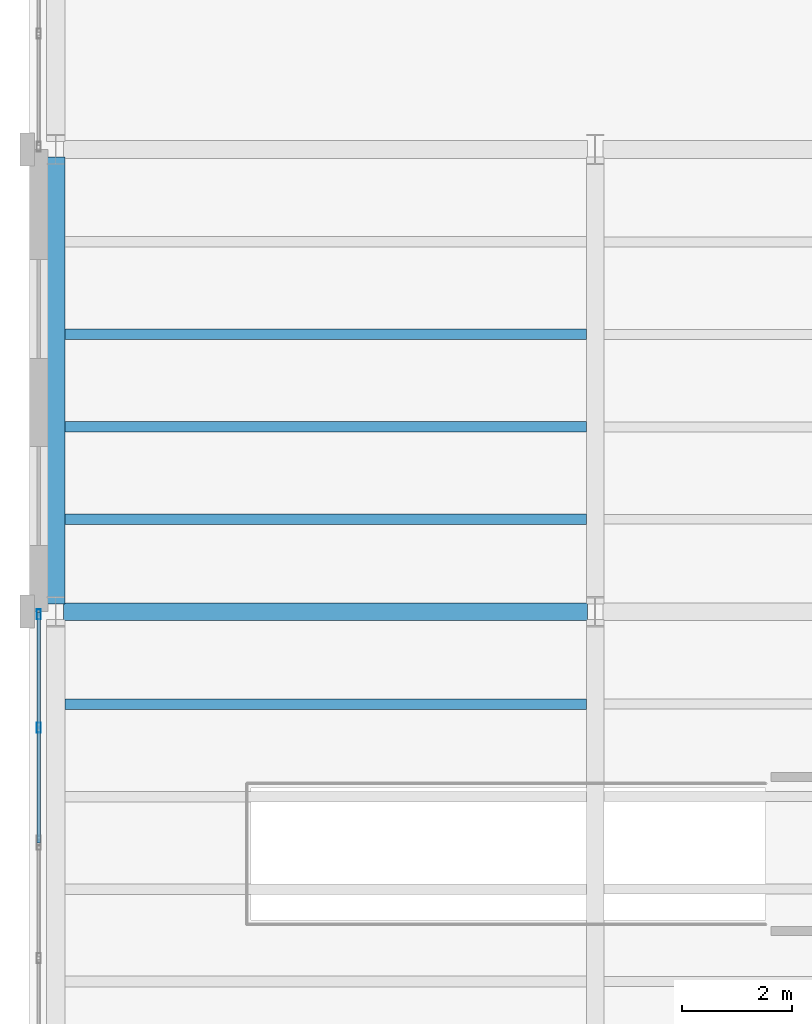
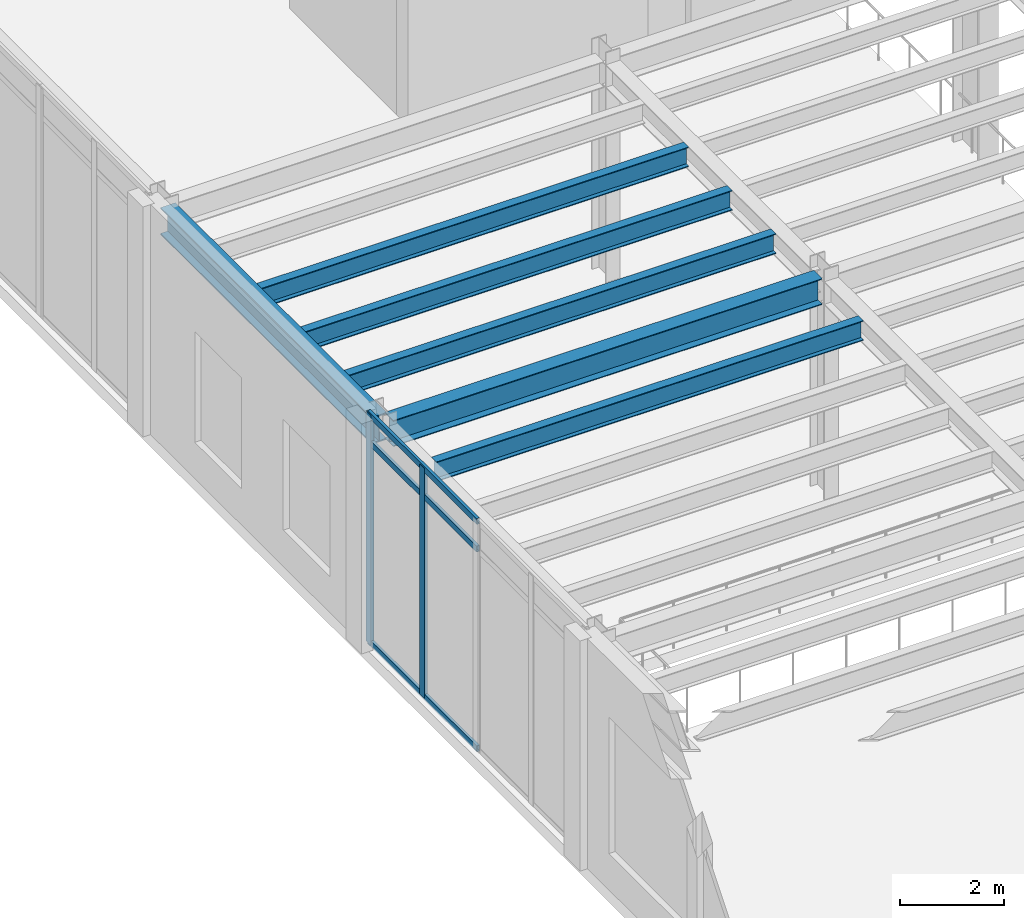
# One storey, part 20 of 98: 6 beams, 5 members, 1 element without a shape of its own.
"""IFC4 building model written with IfcOpenShell, lengths in metres."""

from ifc_helpers import new_model, si_unit, direction, frame, origin, origin_2d, place, context, subcontext, project, spatial, hollow_rectangle, i_section, extrude, material, layer, layer_set, material_profile, profile_set, type_object, element, aggregate, save


model = new_model("IFC4")

# Units and contexts
model_context = context("Model", 3, precision=1e-05, world=origin(), true_north=direction((0.0, 1.0)))
body_context = subcontext(model_context, "Body", "Model", "MODEL_VIEW")
ifc_project = project(units=[si_unit("LENGTHUNIT", "METRE"), si_unit("AREAUNIT", "SQUARE_METRE"), si_unit("VOLUMEUNIT", "CUBIC_METRE"), si_unit("PLANEANGLEUNIT", "RADIAN"), si_unit("MASSUNIT", "GRAM", prefix="KILO")], contexts=[model_context])

# Site, building, storey
site_placement = place(None, origin())
site = spatial("IfcSite", under=ifc_project, at=site_placement, CompositionType="ELEMENT")
building_placement = place(site_placement, origin())
building = spatial("IfcBuilding", under=site, at=building_placement, Name="Sollismere Congress Hotel", CompositionType="ELEMENT")
storey_placement = place(building_placement, frame((0.0, 0.0, 5.39990234375)))
storey = spatial("IfcBuildingStorey", under=building, at=storey_placement, Name="L01", CompositionType="ELEMENT", Elevation=5.39990234375)

# Beams
ifc_material_1 = material(Name="Steel ASTM A992 Grade 50", Category="steel")
ifc_material_profile_1 = material_profile(ifc_material_1, i_section(OverallWidth=0.324951171875, OverallDepth=0.612060546875, WebThickness=0.0126953125, FlangeThickness=0.01904296875, at=origin_2d()), Name="W24X104")
ifc_profile_set_1 = profile_set([ifc_material_profile_1], Name="Steel ASTM A992 Grade 50")
beam_type_1 = type_object("IfcBeamType", Name="BM-G24", PredefinedType="BEAM", material=ifc_profile_set_1)
beam_1_placement = place(storey_placement, frame((0.139892578125, 41.60009765625, 4.814208984375), z_axis=(1.0, 0.0, 0.0), x_axis=(0.0, 1.0, 0.0)))
element("IfcBeam", 1, at=beam_1_placement, inside=storey, type_object=beam_type_1, Name="Beam BM-L01-1571", PredefinedType="BEAM", context=body_context, shape_type="SweptSolid", body=[
    extrude(i_section(OverallWidth=0.324951171875, OverallDepth=0.612060546875, WebThickness=0.0126953125, FlangeThickness=0.01904296875, at=origin_2d()), origin(), (0.0, 0.0, 1.0), 9.52001953125),
])
ifc_material_profile_2 = material_profile(ifc_material_1, i_section(OverallWidth=0.193115234375, OverallDepth=0.467041015625, WebThickness=0.011474609375, FlangeThickness=0.01904296875, at=origin_2d()), Name="W18X65")
ifc_profile_set_2 = profile_set([ifc_material_profile_2], Name="Steel ASTM A992 Grade 50")
beam_type_2 = type_object("IfcBeamType", Name="BM-J18", PredefinedType="JOIST", material=ifc_profile_set_2)
for number, where, z_axis, x_axis, name in (
    (2, (0.1650390625, 39.919921875, 4.88671875), (1.0, 0.0, 0.0), (0.0, 1.0, 0.0), "Beam BM-L01-1730"),
    (3, (0.1650390625, 43.280029296875, 4.88671875), (1.0, 0.0, 0.0), (0.0, 1.0, 0.0), "Beam BM-L01-1731"),
    (4, (0.1650390625, 44.9599609375, 4.88671875), (1.0, 0.0, 0.0), (0.0, 1.0, 0.0), "Beam BM-L01-1732"),
    (5, (0.1650390625, 46.639892578125, 4.88671875), (1.0, 0.0, 0.0), (0.0, 1.0, 0.0), "Beam BM-L01-1733"),
):
    element("IfcBeam", number, at=place(storey_placement, frame(where, z_axis=z_axis, x_axis=x_axis)), inside=storey, type_object=beam_type_2, Name=name, PredefinedType="JOIST", context=body_context, shape_type="SweptSolid", body=[
        extrude(i_section(OverallWidth=0.193115234375, OverallDepth=0.467041015625, WebThickness=0.011474609375, FlangeThickness=0.01904296875, at=origin_2d()), origin(), (0.0, 0.0, 1.0), 9.4775390625),
    ])
ifc_material_profile_3 = material_profile(ifc_material_1, i_section(OverallWidth=0.330078125, OverallDepth=0.635009765625, WebThickness=0.017822265625, FlangeThickness=0.031005859375, at=origin_2d()), Name="W24X162")
ifc_profile_set_3 = profile_set([ifc_material_profile_3], Name="Steel ASTM A992 Grade 50")
beam_type_3 = type_object("IfcBeamType", Name="BM-SP24E", PredefinedType="SPANDREL", material=ifc_profile_set_3)
beam_2_placement = place(storey_placement, frame((0.0, 41.739990234375, 4.802490234375), z_axis=(0.0, 1.0, 0.0), x_axis=(-1.0, 0.0, 0.0)))
element("IfcBeam", 6, at=beam_2_placement, inside=storey, type_object=beam_type_3, Name="Beam BM-L01-1625", PredefinedType="SPANDREL", context=body_context, shape_type="SweptSolid", body=[
    extrude(i_section(OverallWidth=0.330078125, OverallDepth=0.635009765625, WebThickness=0.017822265625, FlangeThickness=0.031005859375, at=origin_2d()), origin(), (0.0, 0.0, 1.0), 8.1201171875),
])

# Curtain wall, members
ifc_material_2 = material(Name="Anodized Bronze Curtain Wall & Low-E Triple Glazing", Category="glass")
ifc_layer = layer(ifc_material_2, 0.199951171875, Name="Anodized Bronze Curtain Wall & Low-E Triple Glazing")
ifc_layer_set = layer_set([ifc_layer], Name="Anodized Bronze Curtain Wall & Low-E Triple Glazing")
curtain_wall_type = type_object("IfcCurtainWallType", Name="CW-GLZ36", PredefinedType="USERDEFINED", material=ifc_layer_set)
curtain_wall_placement = place(storey_placement, origin())
curtain_wall = element("IfcCurtainWall", 7, at=curtain_wall_placement, inside=storey, type_object=curtain_wall_type, Name="Unitised curtain wall CW-L01-128", ObjectType="UNITISED CURTAIN WALL", PredefinedType="USERDEFINED")
ifc_material_3 = material(Name="Anodized Aluminum 6063-T6", Category="aluminium")
ifc_material_profile_4 = material_profile(ifc_material_3, hollow_rectangle(XDim=0.074951171875, YDim=0.179931640625, WallThickness=0.0048828125, at=origin_2d()), Name="ALU180X75X5")
ifc_profile_set_4 = profile_set([ifc_material_profile_4], Name="Anodized Aluminum 6063-T6")
member_type_1 = type_object("IfcMemberType", Name="ML-CW180", PredefinedType="MULLION", material=ifc_profile_set_4)
member_1_placement = place(storey_placement, frame((-0.31005859375, 39.4951171875, 0.0), z_axis=(0.0, 0.0, 1.0), x_axis=(-1.0, 0.0, 0.0)))
member_1 = element("IfcMember", 8, at=member_1_placement, type_object=member_type_1, Name="CWL-CW-L01-128-ML02", PredefinedType="MULLION", context=body_context, shape_type="SweptSolid", body=[
    extrude(hollow_rectangle(XDim=0.074951171875, YDim=0.179931640625, WallThickness=0.0048828125, at=origin_2d()), origin(), (0.0, 0.0, 1.0), 5.400146484375),
])
member_2_placement = place(storey_placement, frame((-0.31005859375, 41.552001953125, 0.0), z_axis=(0.0, 0.0, 1.0), x_axis=(-1.0, 0.0, 0.0)))
member_2 = element("IfcMember", 9, at=member_2_placement, type_object=member_type_1, Name="CWL-CW-L01-128-ML03", PredefinedType="MULLION", context=body_context, shape_type="SweptSolid", body=[
    extrude(hollow_rectangle(XDim=0.074951171875, YDim=0.179931640625, WallThickness=0.0048828125, at=origin_2d()), origin(), (0.0, 0.0, 1.0), 5.400146484375),
])
ifc_material_profile_5 = material_profile(ifc_material_3, hollow_rectangle(XDim=0.06494140625, YDim=0.139892578125, WallThickness=0.00390625, at=origin_2d()), Name="ALU140X65X4")
ifc_profile_set_5 = profile_set([ifc_material_profile_5], Name="Anodized Aluminum 6063-T6")
member_type_2 = type_object("IfcMemberType", Name="TR-CW150", PredefinedType="MEMBER", material=ifc_profile_set_5)
member_3_placement = place(storey_placement, frame((-0.31005859375, 37.39990234375, 0.03271484375), z_axis=(0.0, 1.0, 0.0), x_axis=(-1.0, 0.0, 0.0)))
member_3 = element("IfcMember", 10, at=member_3_placement, type_object=member_type_2, Name="CWL-CW-L01-128-TR1", PredefinedType="MEMBER", context=body_context, shape_type="SweptSolid", body=[
    extrude(hollow_rectangle(XDim=0.06494140625, YDim=0.139892578125, WallThickness=0.00390625, at=origin_2d()), origin(), (0.0, 0.0, 1.0), 4.190185546875),
])
member_4_placement = place(storey_placement, frame((-0.31005859375, 37.39990234375, 4.72021484375), z_axis=(0.0, 1.0, 0.0), x_axis=(-1.0, 0.0, 0.0)))
member_4 = element("IfcMember", 11, at=member_4_placement, type_object=member_type_2, Name="CWL-CW-L01-128-TR2", PredefinedType="MEMBER", context=body_context, shape_type="SweptSolid", body=[
    extrude(hollow_rectangle(XDim=0.06494140625, YDim=0.139892578125, WallThickness=0.00390625, at=origin_2d()), origin(), (0.0, 0.0, 1.0), 4.190185546875),
])
member_5_placement = place(storey_placement, frame((-0.31005859375, 37.39990234375, 5.36767578125), z_axis=(0.0, 1.0, 0.0), x_axis=(-1.0, 0.0, 0.0)))
member_5 = element("IfcMember", 12, at=member_5_placement, type_object=member_type_2, Name="CWL-CW-L01-128-TR3", PredefinedType="MEMBER", context=body_context, shape_type="SweptSolid", body=[
    extrude(hollow_rectangle(XDim=0.06494140625, YDim=0.139892578125, WallThickness=0.00390625, at=origin_2d()), origin(), (0.0, 0.0, 1.0), 4.190185546875),
])
aggregate(curtain_wall, [member_1, member_2, member_3, member_4, member_5])

save(model, "model.ifc")
